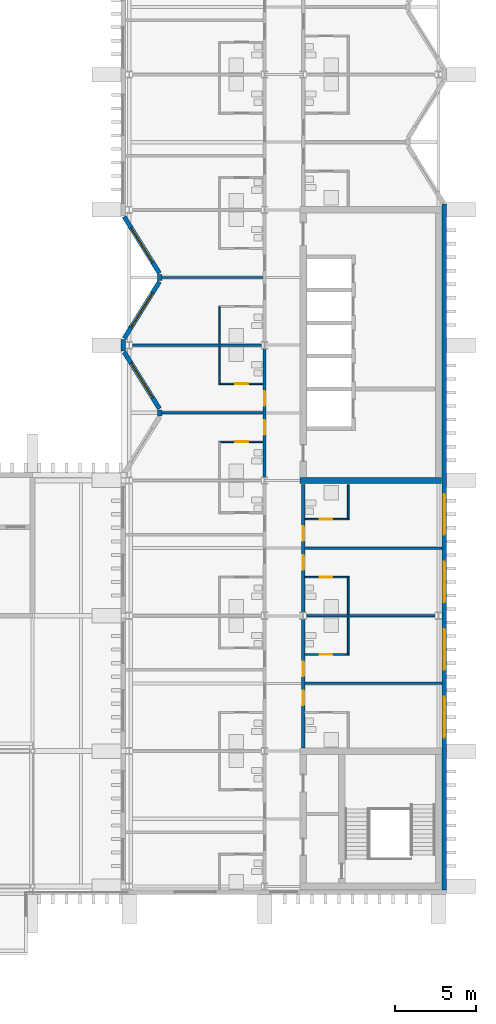
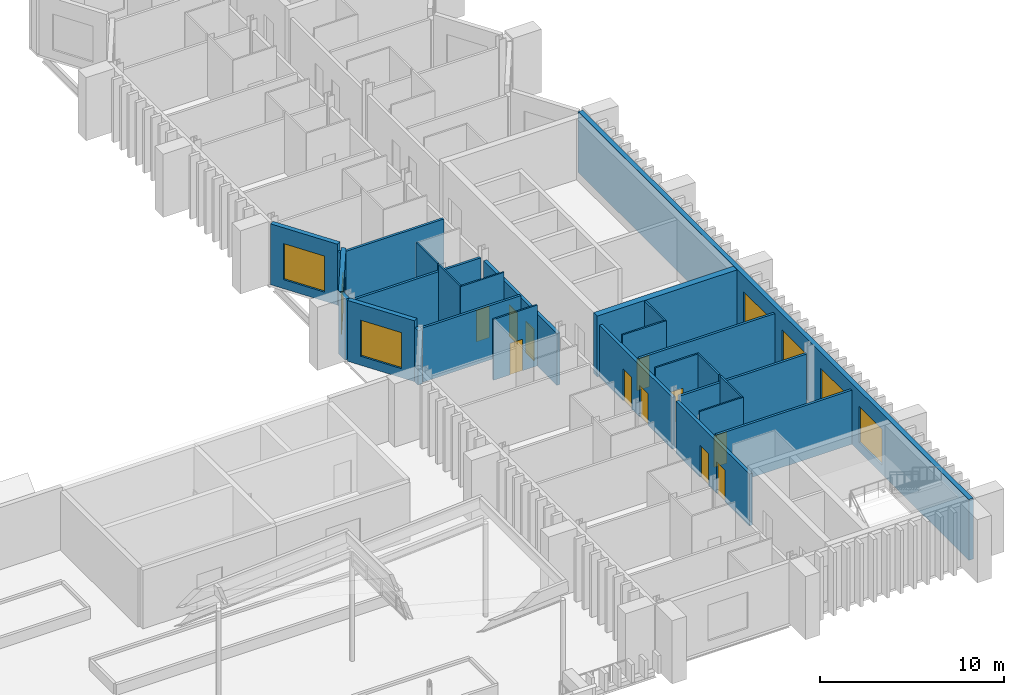
# One storey, part 39 of 51: 27 walls, 11 doors, 7 windows, 18 openings.
"""IFC4 building model written with IfcOpenShell, lengths in metres."""

from ifc_helpers import new_model, si_unit, direction, frame, frame_2d, origin, place, context, subcontext, project, spatial, rectangle, extrude, material, layer, layer_set, type_object, element, fill, save


model = new_model("IFC4")

# Units and contexts
model_context = context("Model", 3, precision=1e-05, world=origin(), true_north=direction((0.0, 1.0)))
body_context = subcontext(model_context, "Body", "Model", "MODEL_VIEW")
ifc_project = project(units=[si_unit("LENGTHUNIT", "METRE"), si_unit("AREAUNIT", "SQUARE_METRE"), si_unit("VOLUMEUNIT", "CUBIC_METRE"), si_unit("PLANEANGLEUNIT", "RADIAN"), si_unit("MASSUNIT", "GRAM", prefix="KILO")], contexts=[model_context])

# Site, building, storey
site_placement = place(None, origin())
site = spatial("IfcSite", under=ifc_project, at=site_placement, CompositionType="ELEMENT")
building_placement = place(site_placement, origin())
building = spatial("IfcBuilding", under=site, at=building_placement, Name="Cresset Court Congress Hotel", CompositionType="ELEMENT")
storey_placement = place(building_placement, frame((0.0, 0.0, 18.60009765625)))
storey = spatial("IfcBuildingStorey", under=building, at=storey_placement, Name="L04", CompositionType="ELEMENT", Elevation=18.60009765625)

# Wall, openings, doors
ifc_material_1 = material(Name="Gypsum board partition")
ifc_layer_1 = layer(ifc_material_1, 0.199951171875)
ifc_layer_set_1 = layer_set([ifc_layer_1], Name="Corridor wall 200")
wall_type_1 = type_object("IfcWallType", Name="Corridor wall 200", PredefinedType="PARTITIONING", material=ifc_layer_set_1)
wall_1_placement = place(storey_placement, frame((165.60009765625, 25.406982421875, 0.0), z_axis=(0.0, 0.0, 1.0), x_axis=(0.0, 1.0, 0.0)))
wall_1 = element("IfcWall", 1, at=wall_1_placement, inside=storey, type_object=wall_type_1, Name="A.wl.L04.073", PredefinedType="PARTITIONING", context=body_context, shape_type="SweptSolid", body=[
    extrude(rectangle(XDim=7.986083984375, YDim=0.199951171875, at=frame_2d((3.9931640625, 0.0))), origin(), (0.0, 0.0, 1.0), 3.449951171875),
])
opening_1_placement = place(wall_1_placement, frame((2.64306640625, 0.0, 0.0)))
opening_1 = element("IfcOpeningElement", 2, at=opening_1_placement, cuts=wall_1, Name="Opening DA-04-14", PredefinedType="OPENING", context=body_context, shape_type="SweptSolid", body=[
    extrude(rectangle(XDim=0.89990234375, YDim=2.10009765625, at=frame_2d((0.449951171875, 1.050048828125))), frame((0.0, 0.10986328125, 0.0), z_axis=(0.0, -1.0, 0.0), x_axis=(1.0, 0.0, 0.0)), (0.0, 0.0, 1.0), 0.219970703125),
])
opening_2_placement = place(wall_1_placement, frame((4.443115234375, 0.0, 0.0)))
opening_2 = element("IfcOpeningElement", 3, at=opening_2_placement, cuts=wall_1, Name="Opening DA-04-16", PredefinedType="OPENING", context=body_context, shape_type="SweptSolid", body=[
    extrude(rectangle(XDim=0.89990234375, YDim=2.10009765625, at=frame_2d((0.449951171875, 1.050048828125))), frame((0.0, 0.10986328125, 0.0), z_axis=(0.0, -1.0, 0.0), x_axis=(1.0, 0.0, 0.0)), (0.0, 0.0, 1.0), 0.219970703125),
])
ifc_material_2 = material(Name="timber", Category="wood")
door_type_1 = type_object("IfcDoorType", Name="Guest-room entry door 900x2100 FD30S", OperationType="SINGLE_SWING_LEFT", PredefinedType="DOOR", material=ifc_material_2)
door_1_placement = place(opening_1_placement, origin())
door_1 = element("IfcDoor", 4, at=door_1_placement, inside=storey, type_object=door_type_1, Name="Door DA-04-14", OperationType="SINGLE_SWING_RIGHT", OverallHeight=2.10009765625, OverallWidth=0.89990234375, PredefinedType="DOOR", context=body_context, shape_type="SweptSolid", body=[
    extrude(rectangle(XDim=0.89990234375, YDim=2.10009765625, at=frame_2d((0.449951171875, 1.050048828125))), frame((0.0, 0.02490234375, 0.0), z_axis=(0.0, -1.0, 0.0), x_axis=(1.0, 0.0, 0.0)), (0.0, 0.0, 1.0), 0.050048828125),
])
fill(opening_1, door_1)
door_2_placement = place(opening_2_placement, origin())
door_2 = element("IfcDoor", 5, at=door_2_placement, inside=storey, type_object=door_type_1, Name="Door DA-04-16", OperationType="SINGLE_SWING_LEFT", OverallHeight=2.10009765625, OverallWidth=0.89990234375, PredefinedType="DOOR", context=body_context, shape_type="SweptSolid", body=[
    extrude(rectangle(XDim=0.89990234375, YDim=2.10009765625, at=frame_2d((0.449951171875, 1.050048828125))), frame((0.0, 0.02490234375, 0.0), z_axis=(0.0, -1.0, 0.0), x_axis=(1.0, 0.0, 0.0)), (0.0, 0.0, 1.0), 0.050048828125),
])
fill(opening_2, door_2)

wall_2_placement = place(storey_placement, frame((168.0, 8.60009765625, 0.0), z_axis=(0.0, 0.0, 1.0), x_axis=(0.0, 1.0, 0.0)))
wall_2 = element("IfcWall", 6, at=wall_2_placement, inside=storey, type_object=wall_type_1, Name="A.wl.L04.078", PredefinedType="PARTITIONING", context=body_context, shape_type="SweptSolid", body=[
    extrude(rectangle(XDim=7.992919921875, YDim=0.199951171875, at=frame_2d((3.99658203125, 0.0))), origin(), (0.0, 0.0, 1.0), 3.449951171875),
])
opening_3_placement = place(wall_2_placement, frame((2.64990234375, 0.0, 0.0)))
opening_3 = element("IfcOpeningElement", 7, at=opening_3_placement, cuts=wall_2, Name="Opening DA-04-34", PredefinedType="OPENING", context=body_context, shape_type="SweptSolid", body=[
    extrude(rectangle(XDim=0.89990234375, YDim=2.10009765625, at=frame_2d((0.449951171875, 1.050048828125))), frame((0.0, 0.10986328125, 0.0), z_axis=(0.0, -1.0, 0.0), x_axis=(1.0, 0.0, 0.0)), (0.0, 0.0, 1.0), 0.219970703125),
])
opening_4_placement = place(wall_2_placement, frame((4.449951171875, 0.0, 0.0)))
opening_4 = element("IfcOpeningElement", 8, at=opening_4_placement, cuts=wall_2, Name="Opening DA-04-36", PredefinedType="OPENING", context=body_context, shape_type="SweptSolid", body=[
    extrude(rectangle(XDim=0.89990234375, YDim=2.10009765625, at=frame_2d((0.449951171875, 1.050048828125))), frame((0.0, 0.10986328125, 0.0), z_axis=(0.0, -1.0, 0.0), x_axis=(1.0, 0.0, 0.0)), (0.0, 0.0, 1.0), 0.219970703125),
])
door_3_placement = place(opening_3_placement, origin())
door_3 = element("IfcDoor", 9, at=door_3_placement, inside=storey, type_object=door_type_1, Name="Door DA-04-34", OperationType="SINGLE_SWING_RIGHT", OverallHeight=2.10009765625, OverallWidth=0.89990234375, PredefinedType="DOOR", context=body_context, shape_type="SweptSolid", body=[
    extrude(rectangle(XDim=0.89990234375, YDim=2.10009765625, at=frame_2d((0.449951171875, 1.050048828125))), frame((0.0, 0.02490234375, 0.0), z_axis=(0.0, -1.0, 0.0), x_axis=(1.0, 0.0, 0.0)), (0.0, 0.0, 1.0), 0.050048828125),
])
fill(opening_3, door_3)
door_4_placement = place(opening_4_placement, origin())
door_4 = element("IfcDoor", 10, at=door_4_placement, inside=storey, type_object=door_type_1, Name="Door DA-04-36", OperationType="SINGLE_SWING_LEFT", OverallHeight=2.10009765625, OverallWidth=0.89990234375, PredefinedType="DOOR", context=body_context, shape_type="SweptSolid", body=[
    extrude(rectangle(XDim=0.89990234375, YDim=2.10009765625, at=frame_2d((0.449951171875, 1.050048828125))), frame((0.0, 0.02490234375, 0.0), z_axis=(0.0, -1.0, 0.0), x_axis=(1.0, 0.0, 0.0)), (0.0, 0.0, 1.0), 0.050048828125),
])
fill(opening_4, door_4)

wall_3_placement = place(storey_placement, frame((168.0, 17.007080078125, 0.0), z_axis=(0.0, 0.0, 1.0), x_axis=(0.0, 1.0, 0.0)))
wall_3 = element("IfcWall", 11, at=wall_3_placement, inside=storey, type_object=wall_type_1, Name="A.wl.L04.079", PredefinedType="PARTITIONING", context=body_context, shape_type="SweptSolid", body=[
    extrude(rectangle(XDim=7.94287109375, YDim=0.199951171875, at=frame_2d((3.971435546875, 0.0))), origin(), (0.0, 0.0, 1.0), 3.449951171875),
])
opening_5_placement = place(wall_3_placement, frame((2.64306640625, 0.0, 0.0)))
opening_5 = element("IfcOpeningElement", 12, at=opening_5_placement, cuts=wall_3, Name="Opening DA-04-38", PredefinedType="OPENING", context=body_context, shape_type="SweptSolid", body=[
    extrude(rectangle(XDim=0.89990234375, YDim=2.10009765625, at=frame_2d((0.449951171875, 1.050048828125))), frame((0.0, 0.10986328125, 0.0), z_axis=(0.0, -1.0, 0.0), x_axis=(1.0, 0.0, 0.0)), (0.0, 0.0, 1.0), 0.219970703125),
])
opening_6_placement = place(wall_3_placement, frame((4.443115234375, 0.0, 0.0)))
opening_6 = element("IfcOpeningElement", 13, at=opening_6_placement, cuts=wall_3, Name="Opening DA-04-40", PredefinedType="OPENING", context=body_context, shape_type="SweptSolid", body=[
    extrude(rectangle(XDim=0.89990234375, YDim=2.10009765625, at=frame_2d((0.449951171875, 1.050048828125))), frame((0.0, 0.10986328125, 0.0), z_axis=(0.0, -1.0, 0.0), x_axis=(1.0, 0.0, 0.0)), (0.0, 0.0, 1.0), 0.219970703125),
])
door_5_placement = place(opening_5_placement, origin())
door_5 = element("IfcDoor", 14, at=door_5_placement, inside=storey, type_object=door_type_1, Name="Door DA-04-38", OperationType="SINGLE_SWING_RIGHT", OverallHeight=2.10009765625, OverallWidth=0.89990234375, PredefinedType="DOOR", context=body_context, shape_type="SweptSolid", body=[
    extrude(rectangle(XDim=0.89990234375, YDim=2.10009765625, at=frame_2d((0.449951171875, 1.050048828125))), frame((0.0, 0.02490234375, 0.0), z_axis=(0.0, -1.0, 0.0), x_axis=(1.0, 0.0, 0.0)), (0.0, 0.0, 1.0), 0.050048828125),
])
fill(opening_5, door_5)
door_6_placement = place(opening_6_placement, origin())
door_6 = element("IfcDoor", 15, at=door_6_placement, inside=storey, type_object=door_type_1, Name="Door DA-04-40", OperationType="SINGLE_SWING_LEFT", OverallHeight=2.10009765625, OverallWidth=0.89990234375, PredefinedType="DOOR", context=body_context, shape_type="SweptSolid", body=[
    extrude(rectangle(XDim=0.89990234375, YDim=2.10009765625, at=frame_2d((0.449951171875, 1.050048828125))), frame((0.0, 0.02490234375, 0.0), z_axis=(0.0, -1.0, 0.0), x_axis=(1.0, 0.0, 0.0)), (0.0, 0.0, 1.0), 0.050048828125),
])
fill(opening_6, door_6)

# Wall, opening, door
ifc_material_3 = material(Name="Gypsum board partition")
ifc_layer_2 = layer(ifc_material_3, 0.10009765625)
ifc_layer_set_2 = layer_set([ifc_layer_2], Name="En-suite wall 100")
wall_type_2 = type_object("IfcWallType", Name="En-suite wall 100", PredefinedType="PARTITIONING", material=ifc_layer_set_2)
wall_4_placement = place(storey_placement, frame((162.75, 27.60009765625, 0.0), z_axis=(0.0, 0.0, 1.0), x_axis=(1.0, 0.0, 0.0)))
wall_4 = element("IfcWall", 16, at=wall_4_placement, inside=storey, type_object=wall_type_2, Name="A.wl.L04.014", PredefinedType="PARTITIONING", context=body_context, shape_type="SweptSolid", body=[
    extrude(rectangle(XDim=2.75, YDim=0.10009765625, at=frame_2d((1.375, 0.0))), origin(), (0.0, 0.0, 1.0), 4.0498046875),
])
opening_7_placement = place(wall_4_placement, frame((1.030029296875, 0.0, 0.0)))
opening_7 = element("IfcOpeningElement", 17, at=opening_7_placement, cuts=wall_4, Name="Opening DA-04-13", PredefinedType="OPENING", context=body_context, shape_type="SweptSolid", body=[
    extrude(rectangle(XDim=0.800048828125, YDim=2.10009765625, at=frame_2d((0.39990234375, 1.050048828125))), frame((0.0, 0.06005859375, 0.0), z_axis=(0.0, -1.0, 0.0), x_axis=(1.0, 0.0, 0.0)), (0.0, 0.0, 1.0), 0.1201171875),
])
ifc_material_4 = material(Name="timber", Category="wood")
door_type_2 = type_object("IfcDoorType", Name="En-suite door 800x2100", OperationType="SINGLE_SWING_LEFT", PredefinedType="DOOR", material=ifc_material_4)
door_7_placement = place(opening_7_placement, origin())
door_7 = element("IfcDoor", 18, at=door_7_placement, inside=storey, type_object=door_type_2, Name="Door DA-04-13", OperationType="SINGLE_SWING_RIGHT", OverallHeight=2.10009765625, OverallWidth=0.800048828125, PredefinedType="DOOR", context=body_context, shape_type="SweptSolid", body=[
    extrude(rectangle(XDim=0.800048828125, YDim=2.10009765625, at=frame_2d((0.39990234375, 1.050048828125))), frame((0.0, 0.02490234375, 0.0), z_axis=(0.0, -1.0, 0.0), x_axis=(1.0, 0.0, 0.0)), (0.0, 0.0, 1.0), 0.050048828125),
])
fill(opening_7, door_7)

# Wall
wall_5_placement = place(storey_placement, frame((162.800048828125, 31.199951171875, 0.0), z_axis=(0.0, 0.0, 1.0), x_axis=(0.0, 1.0, 0.0)))
element("IfcWall", 19, at=wall_5_placement, inside=storey, type_object=wall_type_2, Name="A.wl.L04.015", PredefinedType="PARTITIONING", context=body_context, shape_type="SweptSolid", body=[
    extrude(rectangle(XDim=2.324951171875, YDim=0.10009765625, at=frame_2d((1.16259765625, 0.0))), origin(), (0.0, 0.0, 1.0), 4.0498046875),
])

# Wall, opening, door
wall_6_placement = place(storey_placement, frame((162.75, 31.199951171875, 0.0), z_axis=(0.0, 0.0, 1.0), x_axis=(1.0, 0.0, 0.0)))
wall_6 = element("IfcWall", 20, at=wall_6_placement, inside=storey, type_object=wall_type_2, Name="A.wl.L04.016", PredefinedType="PARTITIONING", context=body_context, shape_type="SweptSolid", body=[
    extrude(rectangle(XDim=2.75, YDim=0.10009765625, at=frame_2d((1.375, 0.0))), origin(), (0.0, 0.0, 1.0), 4.0498046875),
])
opening_8_placement = place(wall_6_placement, frame((1.030029296875, 0.0, 0.0)))
opening_8 = element("IfcOpeningElement", 21, at=opening_8_placement, cuts=wall_6, Name="Opening DA-04-15", PredefinedType="OPENING", context=body_context, shape_type="SweptSolid", body=[
    extrude(rectangle(XDim=0.800048828125, YDim=2.10009765625, at=frame_2d((0.39990234375, 1.050048828125))), frame((0.0, 0.06005859375, 0.0), z_axis=(0.0, -1.0, 0.0), x_axis=(1.0, 0.0, 0.0)), (0.0, 0.0, 1.0), 0.1201171875),
])
door_8_placement = place(opening_8_placement, origin())
door_8 = element("IfcDoor", 22, at=door_8_placement, inside=storey, type_object=door_type_2, Name="Door DA-04-15", OperationType="SINGLE_SWING_LEFT", OverallHeight=2.10009765625, OverallWidth=0.800048828125, PredefinedType="DOOR", context=body_context, shape_type="SweptSolid", body=[
    extrude(rectangle(XDim=0.800048828125, YDim=2.10009765625, at=frame_2d((0.39990234375, 1.050048828125))), frame((0.0, 0.02490234375, 0.0), z_axis=(0.0, -1.0, 0.0), x_axis=(1.0, 0.0, 0.0)), (0.0, 0.0, 1.0), 0.050048828125),
])
fill(opening_8, door_8)

# Walls
wall_7_placement = place(storey_placement, frame((162.800048828125, 33.675048828125, 0.0), z_axis=(0.0, 0.0, 1.0), x_axis=(0.0, 1.0, 0.0)))
element("IfcWall", 23, at=wall_7_placement, inside=storey, type_object=wall_type_2, Name="A.wl.L04.017", PredefinedType="PARTITIONING", context=body_context, shape_type="SweptSolid", body=[
    extrude(rectangle(XDim=2.324951171875, YDim=0.10009765625, at=frame_2d((1.16259765625, 0.0))), origin(), (0.0, 0.0, 1.0), 4.0498046875),
])
wall_8_placement = place(storey_placement, frame((170.800048828125, 14.39990234375, 0.0), z_axis=(0.0, 0.0, 1.0), x_axis=(0.0, 1.0, 0.0)))
element("IfcWall", 24, at=wall_8_placement, inside=storey, type_object=wall_type_2, Name="A.wl.L04.035", PredefinedType="PARTITIONING", context=body_context, shape_type="SweptSolid", body=[
    extrude(rectangle(XDim=2.3251953125, YDim=0.10009765625, at=frame_2d((1.16259765625, 0.0))), origin(), (0.0, 0.0, 1.0), 4.0498046875),
])

# Wall, opening, door
wall_9_placement = place(storey_placement, frame((170.85009765625, 14.39990234375, 0.0), z_axis=(0.0, 0.0, 1.0), x_axis=(-1.0, 0.0, 0.0)))
wall_9 = element("IfcWall", 25, at=wall_9_placement, inside=storey, type_object=wall_type_2, Name="A.wl.L04.036", PredefinedType="PARTITIONING", context=body_context, shape_type="SweptSolid", body=[
    extrude(rectangle(XDim=2.75, YDim=0.10009765625, at=frame_2d((1.375, 0.0))), origin(), (0.0, 0.0, 1.0), 4.0498046875),
])
opening_9_placement = place(wall_9_placement, frame((1.030029296875, 0.0, 0.0)))
opening_9 = element("IfcOpeningElement", 26, at=opening_9_placement, cuts=wall_9, Name="Opening DA-04-35", PredefinedType="OPENING", context=body_context, shape_type="SweptSolid", body=[
    extrude(rectangle(XDim=0.800048828125, YDim=2.10009765625, at=frame_2d((0.39990234375, 1.050048828125))), frame((0.0, 0.06005859375, 0.0), z_axis=(0.0, -1.0, 0.0), x_axis=(1.0, 0.0, 0.0)), (0.0, 0.0, 1.0), 0.1201171875),
])
door_9_placement = place(opening_9_placement, origin())
door_9 = element("IfcDoor", 27, at=door_9_placement, inside=storey, type_object=door_type_2, Name="Door DA-04-35", OperationType="SINGLE_SWING_LEFT", OverallHeight=2.10009765625, OverallWidth=0.800048828125, PredefinedType="DOOR", context=body_context, shape_type="SweptSolid", body=[
    extrude(rectangle(XDim=0.800048828125, YDim=2.10009765625, at=frame_2d((0.39990234375, 1.050048828125))), frame((0.0, 0.02490234375, 0.0), z_axis=(0.0, -1.0, 0.0), x_axis=(1.0, 0.0, 0.0)), (0.0, 0.0, 1.0), 0.050048828125),
])
fill(opening_9, door_9)

# Wall
wall_10_placement = place(storey_placement, frame((170.800048828125, 16.875, 0.0), z_axis=(0.0, 0.0, 1.0), x_axis=(0.0, 1.0, 0.0)))
element("IfcWall", 28, at=wall_10_placement, inside=storey, type_object=wall_type_2, Name="A.wl.L04.037", PredefinedType="PARTITIONING", context=body_context, shape_type="SweptSolid", body=[
    extrude(rectangle(XDim=2.324951171875, YDim=0.10009765625, at=frame_2d((1.16259765625, 0.0))), origin(), (0.0, 0.0, 1.0), 4.0498046875),
])

# Wall, opening, door
wall_11_placement = place(storey_placement, frame((170.85009765625, 19.199951171875, 0.0), z_axis=(0.0, 0.0, 1.0), x_axis=(-1.0, 0.0, 0.0)))
wall_11 = element("IfcWall", 29, at=wall_11_placement, inside=storey, type_object=wall_type_2, Name="A.wl.L04.038", PredefinedType="PARTITIONING", context=body_context, shape_type="SweptSolid", body=[
    extrude(rectangle(XDim=2.75, YDim=0.10009765625, at=frame_2d((1.375, 0.0))), origin(), (0.0, 0.0, 1.0), 4.0498046875),
])
opening_10_placement = place(wall_11_placement, frame((1.030029296875, 0.0, 0.0)))
opening_10 = element("IfcOpeningElement", 30, at=opening_10_placement, cuts=wall_11, Name="Opening DA-04-37", PredefinedType="OPENING", context=body_context, shape_type="SweptSolid", body=[
    extrude(rectangle(XDim=0.800048828125, YDim=2.10009765625, at=frame_2d((0.39990234375, 1.050048828125))), frame((0.0, 0.06005859375, 0.0), z_axis=(0.0, -1.0, 0.0), x_axis=(1.0, 0.0, 0.0)), (0.0, 0.0, 1.0), 0.1201171875),
])
door_10_placement = place(opening_10_placement, origin())
door_10 = element("IfcDoor", 31, at=door_10_placement, inside=storey, type_object=door_type_2, Name="Door DA-04-37", OperationType="SINGLE_SWING_RIGHT", OverallHeight=2.10009765625, OverallWidth=0.800048828125, PredefinedType="DOOR", context=body_context, shape_type="SweptSolid", body=[
    extrude(rectangle(XDim=0.800048828125, YDim=2.10009765625, at=frame_2d((0.39990234375, 1.050048828125))), frame((0.0, 0.02490234375, 0.0), z_axis=(0.0, -1.0, 0.0), x_axis=(1.0, 0.0, 0.0)), (0.0, 0.0, 1.0), 0.050048828125),
])
fill(opening_10, door_10)

# Wall
wall_12_placement = place(storey_placement, frame((170.800048828125, 22.800048828125, 0.0), z_axis=(0.0, 0.0, 1.0), x_axis=(0.0, 1.0, 0.0)))
element("IfcWall", 32, at=wall_12_placement, inside=storey, type_object=wall_type_2, Name="A.wl.L04.039", PredefinedType="PARTITIONING", context=body_context, shape_type="SweptSolid", body=[
    extrude(rectangle(XDim=2.14990234375, YDim=0.10009765625, at=frame_2d((1.074951171875, 0.0))), origin(), (0.0, 0.0, 1.0), 4.0498046875),
])

# Wall, opening, door
wall_13_placement = place(storey_placement, frame((170.85009765625, 22.800048828125, 0.0), z_axis=(0.0, 0.0, 1.0), x_axis=(-1.0, 0.0, 0.0)))
wall_13 = element("IfcWall", 33, at=wall_13_placement, inside=storey, type_object=wall_type_2, Name="A.wl.L04.040", PredefinedType="PARTITIONING", context=body_context, shape_type="SweptSolid", body=[
    extrude(rectangle(XDim=2.75, YDim=0.10009765625, at=frame_2d((1.375, 0.0))), origin(), (0.0, 0.0, 1.0), 4.0498046875),
])
opening_11_placement = place(wall_13_placement, frame((1.030029296875, 0.0, 0.0)))
opening_11 = element("IfcOpeningElement", 34, at=opening_11_placement, cuts=wall_13, Name="Opening DA-04-39", PredefinedType="OPENING", context=body_context, shape_type="SweptSolid", body=[
    extrude(rectangle(XDim=0.800048828125, YDim=2.10009765625, at=frame_2d((0.39990234375, 1.050048828125))), frame((0.0, 0.06005859375, 0.0), z_axis=(0.0, -1.0, 0.0), x_axis=(1.0, 0.0, 0.0)), (0.0, 0.0, 1.0), 0.1201171875),
])
door_11_placement = place(opening_11_placement, origin())
door_11 = element("IfcDoor", 35, at=door_11_placement, inside=storey, type_object=door_type_2, Name="Door DA-04-39", OperationType="SINGLE_SWING_LEFT", OverallHeight=2.10009765625, OverallWidth=0.800048828125, PredefinedType="DOOR", context=body_context, shape_type="SweptSolid", body=[
    extrude(rectangle(XDim=0.800048828125, YDim=2.10009765625, at=frame_2d((0.39990234375, 1.050048828125))), frame((0.0, 0.02490234375, 0.0), z_axis=(0.0, -1.0, 0.0), x_axis=(1.0, 0.0, 0.0)), (0.0, 0.0, 1.0), 0.050048828125),
])
fill(opening_11, door_11)

# Wall, opening, window
ifc_material_5 = material(Name="Precast concrete C50", Category="concrete")
ifc_layer_3 = layer(ifc_material_5, 0.280029296875)
ifc_layer_set_3 = layer_set([ifc_layer_3], Name="External wall 280")
wall_type_3 = type_object("IfcWallType", Name="External wall 280", PredefinedType="SOLIDWALL", material=ifc_layer_set_3)
wall_14_placement = place(storey_placement, frame((159.07861328125, 29.658935546875, 0.0), z_axis=(0.0, 0.0, 1.0), x_axis=(-0.529018946142, 0.848610013271, 0.0)))
wall_14 = element("IfcWall", 36, at=wall_14_placement, inside=storey, type_object=wall_type_3, Name="A.ew.L04.Wn.3.1", PredefinedType="SOLIDWALL", context=body_context, shape_type="SweptSolid", body=[
    extrude(rectangle(XDim=4.144287109375, YDim=0.280029296875, at=frame_2d((2.072265625, 0.0))), origin(), (0.0, 0.0, 1.0), 4.0498046875),
])
opening_12_placement = place(wall_14_placement, frame((0.812255859375, 0.0, 0.60009765625)))
opening_12 = element("IfcOpeningElement", 37, at=opening_12_placement, cuts=wall_14, Name="Opening NA-04-08", PredefinedType="OPENING", context=body_context, shape_type="SweptSolid", body=[
    extrude(rectangle(XDim=2.52001953125, YDim=2.39990234375, at=frame_2d((1.260009765625, 1.199951171875))), frame((0.0, 0.14990234375, 0.0), z_axis=(0.0, -1.0, 0.0), x_axis=(1.0, 0.0, 0.0)), (0.0, 0.0, 1.0), 0.300048828125),
])
ifc_material_6 = material(Name="Aluminium and glass", Category="aluminium")
window_type = type_object("IfcWindowType", Name="Window 2520x2400", PartitioningType="SINGLE_PANEL", PredefinedType="WINDOW", material=ifc_material_6)
window_1_placement = place(opening_12_placement, origin())
window_1 = element("IfcWindow", 38, at=window_1_placement, inside=storey, type_object=window_type, Name="Window NA-04-08", OverallHeight=2.39990234375, OverallWidth=2.52001953125, PartitioningType="SINGLE_PANEL", PredefinedType="WINDOW", context=body_context, shape_type="SweptSolid", body=[
    extrude(rectangle(XDim=2.52001953125, YDim=2.39990234375, at=frame_2d((1.260009765625, 1.199951171875))), frame((0.0, 0.030029296875, 0.0), z_axis=(0.0, -1.0, 0.0), x_axis=(1.0, 0.0, 0.0)), (0.0, 0.0, 1.0), 0.06005859375),
])
fill(opening_12, window_1)

# Walls
wall_15_placement = place(storey_placement, frame((159.099609375, 29.215087890625, 0.0), z_axis=(0.0, 0.0, 1.0), x_axis=(0.0, 1.0, 0.0)))
element("IfcWall", 39, at=wall_15_placement, inside=storey, type_object=wall_type_3, Name="A.ew.L04.Wn.3.2", PredefinedType="SOLIDWALL", context=body_context, shape_type="SweptSolid", body=[
    extrude(rectangle(XDim=0.369873046875, YDim=0.280029296875, at=frame_2d((0.18505859375, 0.0))), origin(), (0.0, 0.0, 1.0), 3.60400390625),
])
wall_16_placement = place(storey_placement, frame((156.840087890625, 33.25, 0.0), z_axis=(0.0, 0.0, 1.0), x_axis=(0.0, 1.0, 0.0)))
element("IfcWall", 40, at=wall_16_placement, inside=storey, type_object=wall_type_3, Name="A.ew.L04.W.2", PredefinedType="SOLIDWALL", context=body_context, shape_type="SweptSolid", body=[
    extrude(rectangle(XDim=0.699951171875, YDim=0.280029296875, at=frame_2d((0.35009765625, 0.0))), origin(), (0.0, 0.0, 1.0), 4.0498046875),
])

# Wall, opening, window
wall_17_placement = place(storey_placement, frame((156.88623046875, 34.024169921875, 0.0), z_axis=(0.0, 0.0, 1.0), x_axis=(0.529018946142, 0.848610013271, 0.0)))
wall_17 = element("IfcWall", 41, at=wall_17_placement, inside=storey, type_object=wall_type_3, Name="A.ew.L04.Wn.4.0", PredefinedType="SOLIDWALL", context=body_context, shape_type="SweptSolid", body=[
    extrude(rectangle(XDim=4.144287109375, YDim=0.280029296875, at=frame_2d((2.072265625, 0.0))), origin(), (0.0, 0.0, 1.0), 4.0498046875),
])
opening_13_placement = place(wall_17_placement, frame((0.812255859375, 0.0, 0.60009765625)))
opening_13 = element("IfcOpeningElement", 42, at=opening_13_placement, cuts=wall_17, Name="Opening NA-04-09", PredefinedType="OPENING", context=body_context, shape_type="SweptSolid", body=[
    extrude(rectangle(XDim=2.52001953125, YDim=2.39990234375, at=frame_2d((1.260009765625, 1.199951171875))), frame((0.0, 0.14990234375, 0.0), z_axis=(0.0, -1.0, 0.0), x_axis=(1.0, 0.0, 0.0)), (0.0, 0.0, 1.0), 0.300048828125),
])
window_2_placement = place(opening_13_placement, origin())
window_2 = element("IfcWindow", 43, at=window_2_placement, inside=storey, type_object=window_type, Name="Window NA-04-09", OverallHeight=2.39990234375, OverallWidth=2.52001953125, PartitioningType="SINGLE_PANEL", PredefinedType="WINDOW", context=body_context, shape_type="SweptSolid", body=[
    extrude(rectangle(XDim=2.52001953125, YDim=2.39990234375, at=frame_2d((1.260009765625, 1.199951171875))), frame((0.0, 0.030029296875, 0.0), z_axis=(0.0, -1.0, 0.0), x_axis=(1.0, 0.0, 0.0)), (0.0, 0.0, 1.0), 0.06005859375),
])
fill(opening_13, window_2)

wall_18_placement = place(storey_placement, frame((159.07861328125, 38.05908203125, 0.0), z_axis=(0.0, 0.0, 1.0), x_axis=(-0.529018946142, 0.848610013271, 0.0)))
wall_18 = element("IfcWall", 44, at=wall_18_placement, inside=storey, type_object=wall_type_3, Name="A.ew.L04.Wn.4.1", PredefinedType="SOLIDWALL", context=body_context, shape_type="SweptSolid", body=[
    extrude(rectangle(XDim=4.144287109375, YDim=0.280029296875, at=frame_2d((2.072265625, 0.0))), origin(), (0.0, 0.0, 1.0), 4.0498046875),
])
opening_14_placement = place(wall_18_placement, frame((0.812255859375, 0.0, 0.60009765625)))
opening_14 = element("IfcOpeningElement", 45, at=opening_14_placement, cuts=wall_18, Name="Opening NA-04-10", PredefinedType="OPENING", context=body_context, shape_type="SweptSolid", body=[
    extrude(rectangle(XDim=2.52001953125, YDim=2.39990234375, at=frame_2d((1.260009765625, 1.199951171875))), frame((0.0, 0.14990234375, 0.0), z_axis=(0.0, -1.0, 0.0), x_axis=(1.0, 0.0, 0.0)), (0.0, 0.0, 1.0), 0.300048828125),
])
window_3_placement = place(opening_14_placement, origin())
window_3 = element("IfcWindow", 46, at=window_3_placement, inside=storey, type_object=window_type, Name="Window NA-04-10", OverallHeight=2.39990234375, OverallWidth=2.52001953125, PartitioningType="SINGLE_PANEL", PredefinedType="WINDOW", context=body_context, shape_type="SweptSolid", body=[
    extrude(rectangle(XDim=2.52001953125, YDim=2.39990234375, at=frame_2d((1.260009765625, 1.199951171875))), frame((0.0, 0.030029296875, 0.0), z_axis=(0.0, -1.0, 0.0), x_axis=(1.0, 0.0, 0.0)), (0.0, 0.0, 1.0), 0.06005859375),
])
fill(opening_14, window_3)

# Wall
wall_19_placement = place(storey_placement, frame((159.099609375, 37.614990234375, 0.0), z_axis=(0.0, 0.0, 1.0), x_axis=(0.0, 1.0, 0.0)))
element("IfcWall", 47, at=wall_19_placement, inside=storey, type_object=wall_type_3, Name="A.ew.L04.Wn.4.2", PredefinedType="SOLIDWALL", context=body_context, shape_type="SweptSolid", body=[
    extrude(rectangle(XDim=0.369873046875, YDim=0.280029296875, at=frame_2d((0.18505859375, 0.0))), origin(), (0.0, 0.0, 1.0), 3.60400390625),
])

# Wall, openings, windows
wall_20_placement = place(storey_placement, frame((176.760009765625, -0.219970703125, 0.0), z_axis=(0.0, 0.0, 1.0), x_axis=(0.0, 1.0, 0.0)))
wall_20 = element("IfcWall", 48, at=wall_20_placement, inside=storey, type_object=wall_type_3, Name="A.ew.L04.E.1", PredefinedType="SOLIDWALL", context=body_context, shape_type="SweptSolid", body=[
    extrude(rectangle(XDim=42.570068359375, YDim=0.280029296875, at=frame_2d((21.28515625, 0.0))), origin(), (0.0, 0.0, 1.0), 4.0498046875),
])
opening_15_placement = place(wall_20_placement, frame((9.4599609375, 0.0, 0.60009765625)))
opening_15 = element("IfcOpeningElement", 49, at=opening_15_placement, cuts=wall_20, Name="Opening NA-04-17", PredefinedType="OPENING", context=body_context, shape_type="SweptSolid", body=[
    extrude(rectangle(XDim=2.52001953125, YDim=2.39990234375, at=frame_2d((1.260009765625, 1.199951171875))), frame((0.0, 0.14990234375, 0.0), z_axis=(0.0, -1.0, 0.0), x_axis=(1.0, 0.0, 0.0)), (0.0, 0.0, 1.0), 0.300048828125),
])
opening_16_placement = place(wall_20_placement, frame((13.659912109375, 0.0, 0.60009765625)))
opening_16 = element("IfcOpeningElement", 50, at=opening_16_placement, cuts=wall_20, Name="Opening NA-04-18", PredefinedType="OPENING", context=body_context, shape_type="SweptSolid", body=[
    extrude(rectangle(XDim=2.52001953125, YDim=2.39990234375, at=frame_2d((1.260009765625, 1.199951171875))), frame((0.0, 0.14990234375, 0.0), z_axis=(0.0, -1.0, 0.0), x_axis=(1.0, 0.0, 0.0)), (0.0, 0.0, 1.0), 0.300048828125),
])
opening_17_placement = place(wall_20_placement, frame((17.860107421875, 0.0, 0.60009765625)))
opening_17 = element("IfcOpeningElement", 51, at=opening_17_placement, cuts=wall_20, Name="Opening NA-04-19", PredefinedType="OPENING", context=body_context, shape_type="SweptSolid", body=[
    extrude(rectangle(XDim=2.52001953125, YDim=2.39990234375, at=frame_2d((1.260009765625, 1.199951171875))), frame((0.0, 0.14990234375, 0.0), z_axis=(0.0, -1.0, 0.0), x_axis=(1.0, 0.0, 0.0)), (0.0, 0.0, 1.0), 0.300048828125),
])
opening_18_placement = place(wall_20_placement, frame((22.06005859375, 0.0, 0.60009765625)))
opening_18 = element("IfcOpeningElement", 52, at=opening_18_placement, cuts=wall_20, Name="Opening NA-04-20", PredefinedType="OPENING", context=body_context, shape_type="SweptSolid", body=[
    extrude(rectangle(XDim=2.52001953125, YDim=2.39990234375, at=frame_2d((1.260009765625, 1.199951171875))), frame((0.0, 0.14990234375, 0.0), z_axis=(0.0, -1.0, 0.0), x_axis=(1.0, 0.0, 0.0)), (0.0, 0.0, 1.0), 0.300048828125),
])
window_4_placement = place(opening_15_placement, origin())
window_4 = element("IfcWindow", 53, at=window_4_placement, inside=storey, type_object=window_type, Name="Window NA-04-17", OverallHeight=2.39990234375, OverallWidth=2.52001953125, PartitioningType="SINGLE_PANEL", PredefinedType="WINDOW", context=body_context, shape_type="SweptSolid", body=[
    extrude(rectangle(XDim=2.52001953125, YDim=2.39990234375, at=frame_2d((1.260009765625, 1.199951171875))), frame((0.0, 0.030029296875, 0.0), z_axis=(0.0, -1.0, 0.0), x_axis=(1.0, 0.0, 0.0)), (0.0, 0.0, 1.0), 0.06005859375),
])
fill(opening_15, window_4)
window_5_placement = place(opening_16_placement, origin())
window_5 = element("IfcWindow", 54, at=window_5_placement, inside=storey, type_object=window_type, Name="Window NA-04-18", OverallHeight=2.39990234375, OverallWidth=2.52001953125, PartitioningType="SINGLE_PANEL", PredefinedType="WINDOW", context=body_context, shape_type="SweptSolid", body=[
    extrude(rectangle(XDim=2.52001953125, YDim=2.39990234375, at=frame_2d((1.260009765625, 1.199951171875))), frame((0.0, 0.030029296875, 0.0), z_axis=(0.0, -1.0, 0.0), x_axis=(1.0, 0.0, 0.0)), (0.0, 0.0, 1.0), 0.06005859375),
])
fill(opening_16, window_5)
window_6_placement = place(opening_17_placement, origin())
window_6 = element("IfcWindow", 55, at=window_6_placement, inside=storey, type_object=window_type, Name="Window NA-04-19", OverallHeight=2.39990234375, OverallWidth=2.52001953125, PartitioningType="SINGLE_PANEL", PredefinedType="WINDOW", context=body_context, shape_type="SweptSolid", body=[
    extrude(rectangle(XDim=2.52001953125, YDim=2.39990234375, at=frame_2d((1.260009765625, 1.199951171875))), frame((0.0, 0.030029296875, 0.0), z_axis=(0.0, -1.0, 0.0), x_axis=(1.0, 0.0, 0.0)), (0.0, 0.0, 1.0), 0.06005859375),
])
fill(opening_17, window_6)
window_7_placement = place(opening_18_placement, origin())
window_7 = element("IfcWindow", 56, at=window_7_placement, inside=storey, type_object=window_type, Name="Window NA-04-20", OverallHeight=2.39990234375, OverallWidth=2.52001953125, PartitioningType="SINGLE_PANEL", PredefinedType="WINDOW", context=body_context, shape_type="SweptSolid", body=[
    extrude(rectangle(XDim=2.52001953125, YDim=2.39990234375, at=frame_2d((1.260009765625, 1.199951171875))), frame((0.0, 0.030029296875, 0.0), z_axis=(0.0, -1.0, 0.0), x_axis=(1.0, 0.0, 0.0)), (0.0, 0.0, 1.0), 0.06005859375),
])
fill(opening_18, window_7)

# Walls
ifc_material_7 = material(Name="Gypsum board partition")
ifc_layer_4 = layer(ifc_material_7, 0.14990234375)
ifc_layer_set_4 = layer_set([ifc_layer_4], Name="Guest-room partition 150")
wall_type_4 = type_object("IfcWallType", Name="Guest-room partition 150", PredefinedType="PARTITIONING", material=ifc_layer_set_4)
wall_21_placement = place(storey_placement, frame((157.402587890625, 33.60009765625, 0.0), z_axis=(0.0, 0.0, 1.0), x_axis=(1.0, 0.0, 0.0)))
element("IfcWall", 57, at=wall_21_placement, inside=storey, type_object=wall_type_4, Name="A.wl.L04.052", PredefinedType="PARTITIONING", context=body_context, shape_type="SweptSolid", body=[
    extrude(rectangle(XDim=7.994873046875, YDim=0.14990234375, at=frame_2d((3.99755859375, 0.0))), origin(), (0.0, 0.0, 1.0), 3.60400390625),
])
wall_22_placement = place(storey_placement, frame((168.202392578125, 16.800048828125, 0.0), z_axis=(0.0, 0.0, 1.0), x_axis=(1.0, 0.0, 0.0)))
element("IfcWall", 58, at=wall_22_placement, inside=storey, type_object=wall_type_4, Name="A.wl.L04.056", PredefinedType="PARTITIONING", context=body_context, shape_type="SweptSolid", body=[
    extrude(rectangle(XDim=7.9951171875, YDim=0.14990234375, at=frame_2d((3.99755859375, 0.0))), origin(), (0.0, 0.0, 1.0), 3.60400390625),
])
for number, where, z_axis, x_axis, name in (
    (59, (159.23974609375, 29.39990234375, 0.0), (0.0, 0.0, 1.0), (1.0, 0.0, 0.0), "A.wl.L04.061"),
    (60, (159.23974609375, 37.800048828125, 0.0), (0.0, 0.0, 1.0), (1.0, 0.0, 0.0), "A.wl.L04.062"),
):
    element("IfcWall", number, at=place(storey_placement, frame(where, z_axis=z_axis, x_axis=x_axis)), inside=storey, type_object=wall_type_4, Name=name, PredefinedType="PARTITIONING", context=body_context, shape_type="SweptSolid", body=[
        extrude(rectangle(XDim=6.26025390625, YDim=0.14990234375, at=frame_2d((3.130126953125, 0.0))), origin(), (0.0, 0.0, 1.0), 3.60400390625),
    ])
for number, where, z_axis, x_axis, name in (
    (61, (168.10009765625, 12.60009765625, 0.0), (0.0, 0.0, 1.0), (1.0, 0.0, 0.0), "A.wl.L04.066"),
    (62, (168.10009765625, 21.0, 0.0), (0.0, 0.0, 1.0), (1.0, 0.0, 0.0), "A.wl.L04.067"),
):
    element("IfcWall", number, at=place(storey_placement, frame(where, z_axis=z_axis, x_axis=x_axis)), inside=storey, type_object=wall_type_4, Name=name, PredefinedType="PARTITIONING", context=body_context, shape_type="SweptSolid", body=[
        extrude(rectangle(XDim=8.52001953125, YDim=0.14990234375, at=frame_2d((4.260009765625, 0.0))), origin(), (0.0, 0.0, 1.0), 3.60400390625),
    ])
ifc_material_8 = material(Name="Concrete C50", Category="concrete")
ifc_layer_5 = layer(ifc_material_8, 0.39990234375)
ifc_layer_set_5 = layer_set([ifc_layer_5], Name="Lift core wall 400")
wall_type_5 = type_object("IfcWallType", Name="Lift core wall 400", PredefinedType="SOLIDWALL", material=ifc_layer_set_5)
wall_23_placement = place(storey_placement, frame((167.800048828125, 25.199951171875, 0.0), z_axis=(0.0, 0.0, 1.0), x_axis=(1.0, 0.0, 0.0)))
element("IfcWall", 63, at=wall_23_placement, inside=storey, type_object=wall_type_5, Name="A.cw.LC-A.L04.S", PredefinedType="SOLIDWALL", context=body_context, shape_type="SweptSolid", body=[
    extrude(rectangle(XDim=8.800048828125, YDim=0.39990234375, at=frame_2d((4.39990234375, 0.0))), origin(), (0.0, 0.0, 1.0), 4.0498046875),
])

save(model, "model.ifc")
